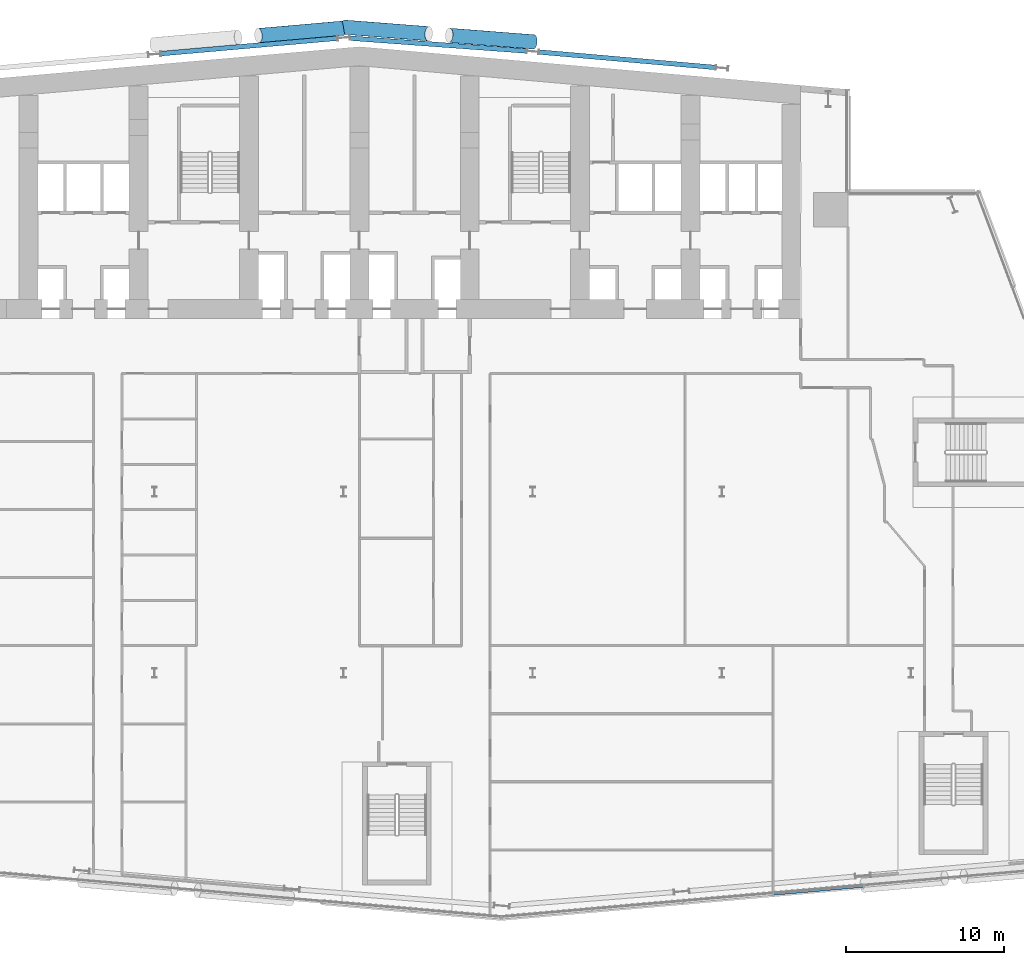
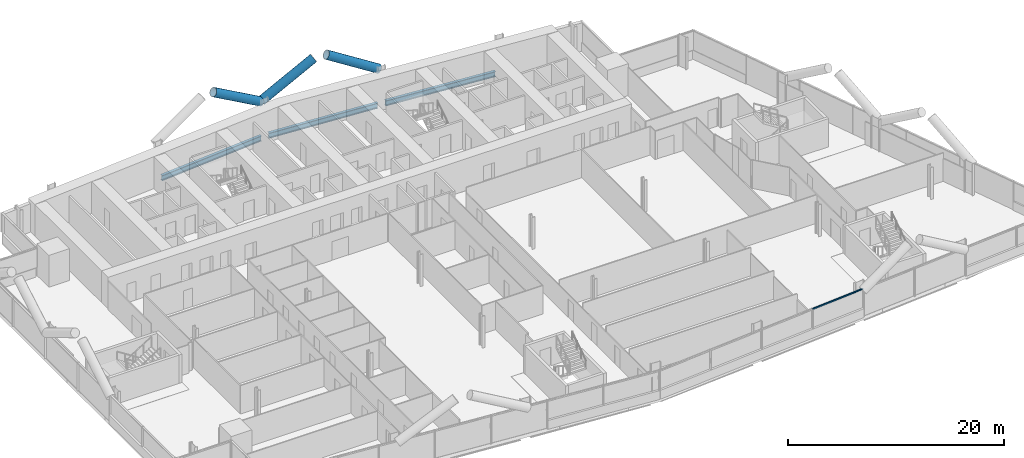
# One storey, part 8 of 27: 4 members, 3 beams, 1 element without a shape of its own.
"""IFC4 building model written with IfcOpenShell, lengths in metres."""

from ifc_helpers import new_model, si_unit, direction, frame, origin, origin_2d, place, context, subcontext, project, spatial, rectangle, hollow_circle, i_section, extrude, material, material_profile, profile_set, type_object, element, aggregate, save


model = new_model("IFC4")

# Units and contexts
model_context = context("Model", 3, precision=1e-05, world=origin(), true_north=direction((0.0, 1.0)))
body_context = subcontext(model_context, "Body", "Model", "MODEL_VIEW")
ifc_project = project(units=[si_unit("LENGTHUNIT", "METRE"), si_unit("AREAUNIT", "SQUARE_METRE"), si_unit("VOLUMEUNIT", "CUBIC_METRE"), si_unit("PLANEANGLEUNIT", "RADIAN"), si_unit("MASSUNIT", "GRAM", prefix="KILO")], contexts=[model_context])

# Site, building, storey
site_placement = place(None, origin())
site = spatial("IfcSite", under=ifc_project, at=site_placement, CompositionType="ELEMENT")
building_placement = place(site_placement, origin())
building = spatial("IfcBuilding", under=site, at=building_placement, Name="Wharfspan Tower", CompositionType="ELEMENT")
storey_placement = place(building_placement, frame((0.0, 0.0, 81.100098)))
storey = spatial("IfcBuildingStorey", under=building, at=storey_placement, Name="L17", CompositionType="ELEMENT", Elevation=81.100098)

# Beams
ifc_material_1 = material(Name="Steel S355J2", Category="steel")
ifc_material_profile_1 = material_profile(ifc_material_1, i_section(OverallWidth=0.300049, OverallDepth=0.600098, WebThickness=0.015381, FlangeThickness=0.030029, FilletRadius=0.0271, at=origin_2d()))
ifc_profile_set_1 = profile_set([ifc_material_profile_1], Name="Steel S355J2")
beam_type = type_object("IfcBeamType", Name="Edge beam HEB 600", PredefinedType="SPANDREL", material=ifc_profile_set_1)
for number, where, z_axis, x_axis, name in (
    (1, (59.598633, 49.919922, -0.700195), (-0.996194, 0.087165, 0.0), (-0.087165, -0.996194, 0.0), "Edge beam N2 L17 R.5 to R.4"),
    (2, (35.598633, 51.774414, -0.700195), (-0.996196, -0.087143, 0.0), (0.087143, -0.996196, 0.0), "Edge beam N1 L17 R.3 to R.2"),
):
    element("IfcBeam", number, at=place(storey_placement, frame(where, z_axis=z_axis, x_axis=x_axis)), inside=storey, type_object=beam_type, Name=name, PredefinedType="SPANDREL", context=body_context, shape_type="SweptSolid", body=[
        extrude(i_section(OverallWidth=0.300049, OverallDepth=0.600098, WebThickness=0.015381, FlangeThickness=0.030029, FilletRadius=0.0271, at=origin_2d()), origin(), (0.0, 0.0, 1.0), 11.23999),
    ])
beam_placement = place(storey_placement, frame((36.407227, 51.779785, -0.700195), z_axis=(0.997354, -0.072694, 0.0), x_axis=(0.072694, 0.997354, 0.0)))
element("IfcBeam", 3, at=beam_placement, inside=storey, type_object=beam_type, Name="Edge beam L17 R.3 to R.4", PredefinedType="SPANDREL", context=body_context, shape_type="SweptSolid", body=[
    extrude(i_section(OverallWidth=0.300049, OverallDepth=0.600098, WebThickness=0.015381, FlangeThickness=0.030029, FilletRadius=0.0271, at=origin_2d()), origin(), (0.0, 0.0, 1.0), 11.220703),
])

# Members
ifc_material_2 = material(Name="Steel S460NH", Category="steel")
ifc_material_profile_2 = material_profile(ifc_material_2, hollow_circle(Radius=0.457031, WallThickness=0.040039, at=origin_2d()))
ifc_profile_set_2 = profile_set([ifc_material_profile_2], Name="Steel S460NH")
member_type_1 = type_object("IfcMemberType", Name="Mega brace CHS 914x40", PredefinedType="BRACE", material=ifc_profile_set_2)
member_1_placement = place(storey_placement, frame((35.947266, 52.412842, 2.899902), z_axis=(-0.855094, -0.074809, 0.513048), x_axis=(0.087154, -0.996195, 1e-06)))
element("IfcMember", 4, at=member_1_placement, inside=storey, type_object=member_type_1, Name="Mega brace N7 L18 part 3", PredefinedType="BRACE", context=body_context, shape_type="SweptSolid", body=[
    extrude(hollow_circle(Radius=0.457031, WallThickness=0.040039, at=origin_2d()), origin(), (0.0, 0.0, 1.0), 6.256104),
])
for number, where, z_axis, x_axis, name in (
    (5, (36.048584, 52.476318, 2.899902), (0.85551, -0.066472, 0.513501), (0.077467, 0.996995, -3e-06), "Mega brace N8 L18 part 1"),
    (6, (48.044434, 51.544434, 2.899902), (-0.85551, 0.066472, 0.513501), (-0.077467, -0.996995, -3e-06), "Mega brace N8 L18 part 3"),
):
    element("IfcMember", number, at=place(storey_placement, frame(where, z_axis=z_axis, x_axis=x_axis)), inside=storey, type_object=member_type_1, Name=name, PredefinedType="BRACE", context=body_context, shape_type="SweptSolid", body=[
        extrude(hollow_circle(Radius=0.457031, WallThickness=0.040039, at=origin_2d()), origin(), (0.0, 0.0, 1.0), 6.251221),
    ])

# Curtain wall, member
ifc_material_3 = material(Name="Aluminium 6063-T6", Category="aluminium")
curtain_wall_type = type_object("IfcCurtainWallType", Name="CURTAIN WALL FACETED FRONT", PredefinedType="NOTDEFINED", material=ifc_material_3)
curtain_wall_placement = place(storey_placement, origin())
curtain_wall = element("IfcCurtainWall", 7, at=curtain_wall_placement, inside=storey, type_object=curtain_wall_type, Name="Curtain wall S2", PredefinedType="NOTDEFINED")
ifc_material_profile_3 = material_profile(ifc_material_3, rectangle(XDim=0.159912, YDim=0.080078, at=origin_2d()))
ifc_profile_set_3 = profile_set([ifc_material_profile_3], Name="Aluminium 6063-T6")
member_type_2 = type_object("IfcMemberType", Name="TRANSOM FACETED FRONT 80x160", PredefinedType="USERDEFINED", material=ifc_profile_set_3)
member_2_placement = place(storey_placement, frame((63.279785, -2.512695, 3.159912), z_axis=(0.996195, 0.087148, 0.0), x_axis=(-0.087148, 0.996195, 0.0)))
member_2 = element("IfcMember", 8, at=member_2_placement, type_object=member_type_2, Name="Curtain wall S2 transom 4", ObjectType="TRANSOM", PredefinedType="USERDEFINED", context=body_context, shape_type="SweptSolid", body=[
    extrude(rectangle(XDim=0.159912, YDim=0.080078, at=origin_2d()), origin(), (0.0, 0.0, 1.0), 5.712158),
])
aggregate(curtain_wall, [member_2])

save(model, "model.ifc")
